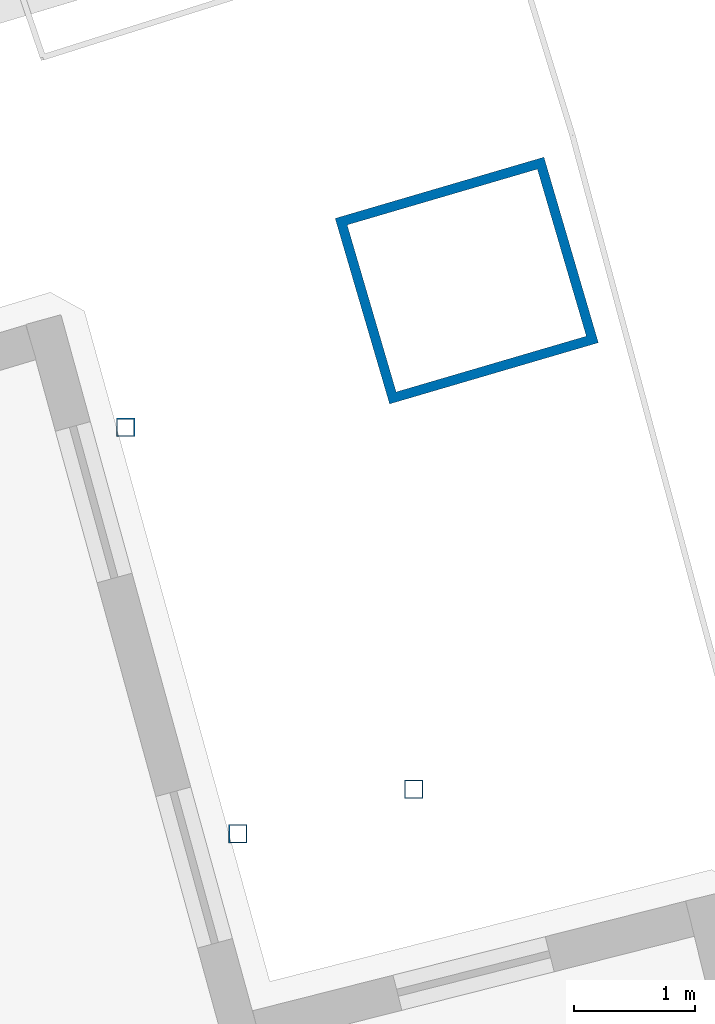
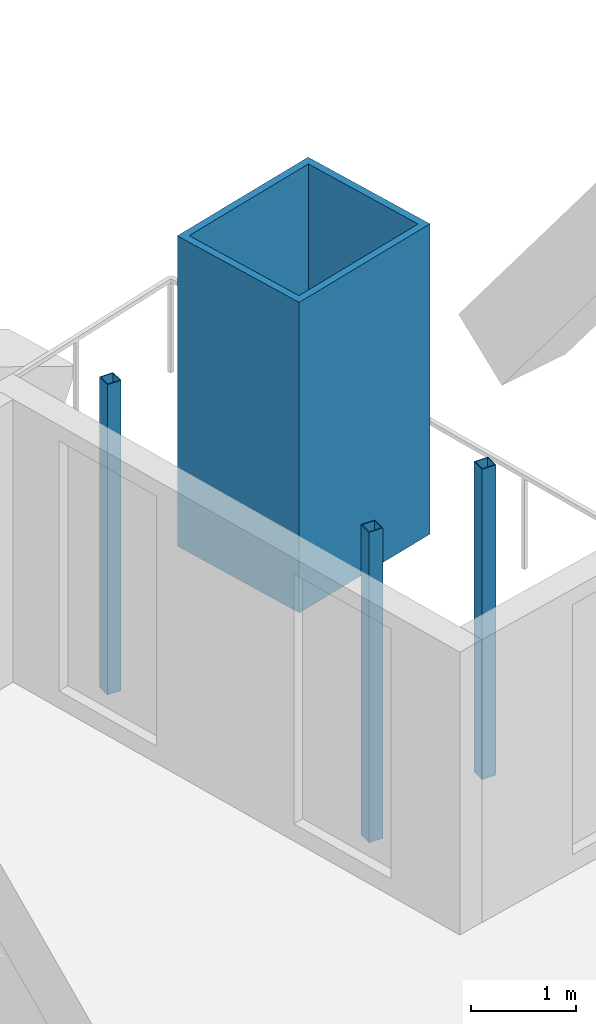
# One storey, part 8 of 20: 4 columns.
"""IFC4 building model written with IfcOpenShell, lengths in metres."""

from ifc_helpers import new_model, si_unit, direction, frame, origin, origin_2d, place, context, subcontext, project, spatial, hollow_rectangle, extrude, material, material_profile, profile_set, type_object, element, save


model = new_model("IFC4")

# Units and contexts
model_context = context("Model", 3, precision=1e-05, world=origin(), true_north=direction((0.0, 1.0)))
body_context = subcontext(model_context, "Body", "Model", "MODEL_VIEW")
ifc_project = project(units=[si_unit("LENGTHUNIT", "METRE"), si_unit("AREAUNIT", "SQUARE_METRE"), si_unit("VOLUMEUNIT", "CUBIC_METRE"), si_unit("PLANEANGLEUNIT", "RADIAN"), si_unit("MASSUNIT", "GRAM", prefix="KILO")], contexts=[model_context])

# Site, building, storey
site_placement = place(None, origin())
site = spatial("IfcSite", under=ifc_project, at=site_placement, CompositionType="ELEMENT")
building_placement = place(site_placement, origin())
building = spatial("IfcBuilding", under=site, at=building_placement, Name="Alderwake Tower", CompositionType="ELEMENT")
storey_placement = place(building_placement, frame((0.0, 0.0, 138.800048828125)))
storey = spatial("IfcBuildingStorey", under=building, at=storey_placement, Name="L33", CompositionType="ELEMENT", Elevation=138.800048828125)

# Columns
ifc_material_1 = material(Name="Steel ASTM A500 Grade C", Category="steel")
ifc_material_profile_1 = material_profile(ifc_material_1, hollow_rectangle(XDim=0.15234375, YDim=0.15234375, WallThickness=0.0087890625, at=origin_2d()), Name="HSS6X6X3/8")
ifc_profile_set_1 = profile_set([ifc_material_profile_1], Name="Steel ASTM A500 Grade C")
column_type_1 = type_object("IfcColumnType", Name="Light post HSS6X6X3/8", PredefinedType="COLUMN", material=ifc_profile_set_1)
for number, where, z_axis, x_axis, name in (
    (1, (53.807861328125, 96.159423828125, 0.0), (0.0, 0.0, 1.0), (1.0, 0.0, 0.0), "Terrace post FN1"),
    (2, (51.42431640625, 99.152099609375, 0.0), (0.0, 0.0, 1.0), (1.0, 0.0, 0.0), "Terrace post FN2"),
    (3, (52.353759765625, 95.791259765625, 0.0), (0.0, 0.0, 1.0), (1.0, 0.0, 0.0), "Terrace post FN3"),
):
    element("IfcColumn", number, at=place(storey_placement, frame(where, z_axis=z_axis, x_axis=x_axis)), inside=storey, type_object=column_type_1, Name=name, PredefinedType="COLUMN", context=body_context, shape_type="SweptSolid", body=[
        extrude(hollow_rectangle(XDim=0.15234375, YDim=0.15234375, WallThickness=0.0087890625, at=origin_2d()), origin(), (0.0, 0.0, 1.0), 3.599853515625),
    ])
ifc_material_2 = material(Name="Steel ASTM A572 Grade 50 concrete filled C70/85", Category="concrete")
ifc_material_profile_2 = material_profile(ifc_material_2, hollow_rectangle(XDim=1.60009765625, YDim=1.800048828125, WallThickness=0.080078125, at=origin_2d()), Name="BOX 1800X1600X80")
ifc_profile_set_2 = profile_set([ifc_material_profile_2], Name="Steel ASTM A572 Grade 50 concrete filled C70/85")
column_type_2 = type_object("IfcColumnType", Name="Mega column Z3", PredefinedType="COLUMN", material=ifc_profile_set_2)
column_placement = place(storey_placement, frame((54.246826171875, 100.3671875, 0.0), z_axis=(0.0, 0.0, 1.0), x_axis=(-0.281395329631, 0.959591928093, 0.0)))
element("IfcColumn", 4, at=column_placement, inside=storey, type_object=column_type_2, Name="Column R12-C5", PredefinedType="COLUMN", context=body_context, shape_type="SweptSolid", body=[
    extrude(hollow_rectangle(XDim=1.60009765625, YDim=1.800048828125, WallThickness=0.080078125, at=origin_2d()), origin(), (0.0, 0.0, 1.0), 3.599853515625),
])

save(model, "model.ifc")
